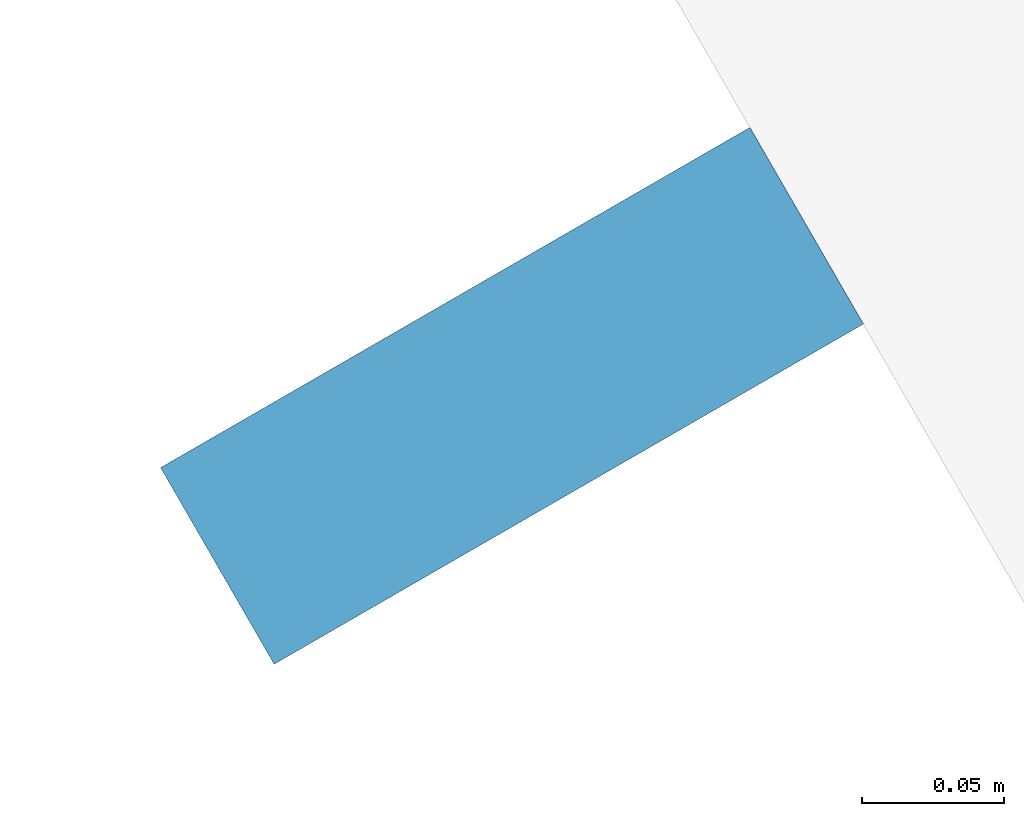
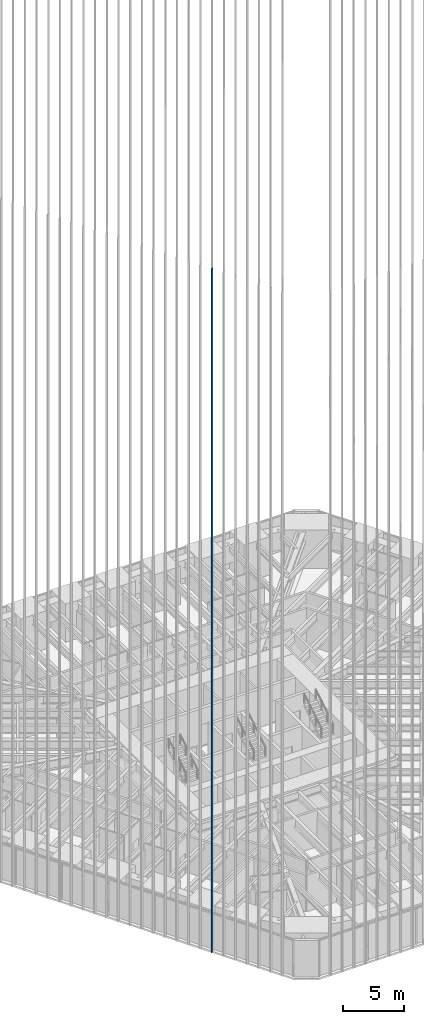
# One storey, part 2 of 256: 1 member, 1 element without a shape of its own.
"""IFC4 building model written with IfcOpenShell, lengths in metres."""

from ifc_helpers import new_model, si_unit, direction, frame, origin, origin_2d, place, context, subcontext, project, spatial, rectangle, extrude, material, material_profile, profile_set, type_object, element, aggregate, save


model = new_model("IFC4")

# Units and contexts
model_context = context("Model", 3, precision=1e-05, world=origin(), true_north=direction((0.0, 1.0)))
body_context = subcontext(model_context, "Body", "Model", "MODEL_VIEW")
ifc_project = project(units=[si_unit("LENGTHUNIT", "METRE"), si_unit("AREAUNIT", "SQUARE_METRE"), si_unit("VOLUMEUNIT", "CUBIC_METRE"), si_unit("PLANEANGLEUNIT", "RADIAN"), si_unit("MASSUNIT", "GRAM", prefix="KILO")], contexts=[model_context])

# Site, building, storey
site_placement = place(None, origin())
site = spatial("IfcSite", under=ifc_project, at=site_placement, CompositionType="ELEMENT")
building_placement = place(site_placement, origin())
building = spatial("IfcBuilding", under=site, at=building_placement, Name="Sandreach Pilgrim Tower", CompositionType="ELEMENT")
storey_placement = place(building_placement, frame((0.0, 0.0, 23.0)))
storey = spatial("IfcBuildingStorey", under=building, at=storey_placement, Name="L04", CompositionType="ELEMENT", Elevation=23.0)

# Curtain wall, member
ifc_material_1 = material(Name="Aluminium framed curtain wall", Category="aluminium")
curtain_wall_type = type_object("IfcCurtainWallType", Name="Hostel tower curtain wall", PredefinedType="NOTDEFINED", material=ifc_material_1)
curtain_wall_placement = place(storey_placement, origin())
curtain_wall = element("IfcCurtainWall", 1, at=curtain_wall_placement, inside=storey, type_object=curtain_wall_type, Name="CW-1 L04 SW", PredefinedType="NOTDEFINED")
ifc_material_2 = material(Name="Extruded terracotta on aluminium core", Category="masonry")
ifc_material_profile = material_profile(ifc_material_2, rectangle(XDim=0.080078125, YDim=0.239990234375, at=origin_2d()), Name="TBW 80X240")
ifc_profile_set = profile_set([ifc_material_profile], Name="Extruded terracotta on aluminium core")
member_type = type_object("IfcMemberType", Name="Terracotta baguette west", PredefinedType="USERDEFINED", material=ifc_profile_set)
member_placement = place(storey_placement, frame((-15.018798828125, -22.723876953125, 0.0), z_axis=(0.0, 0.0, 1.0), x_axis=(-0.5, 0.866025403784, 0.0)))
member = element("IfcMember", 2, at=member_placement, type_object=member_type, Name="Baguette Z1 SW07", ObjectType="BAGUETTE", PredefinedType="USERDEFINED", context=body_context, shape_type="SweptSolid", body=[
    extrude(rectangle(XDim=0.080078125, YDim=0.239990234375, at=origin_2d()), origin(), (0.0, 0.0, 1.0), 68.239990234375),
])
aggregate(curtain_wall, [member])

save(model, "model.ifc")
